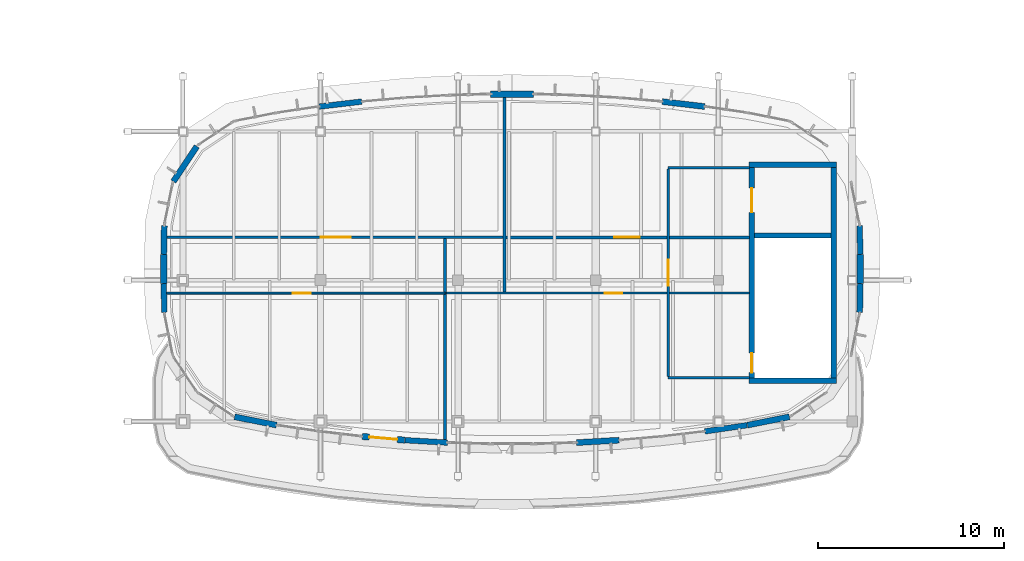
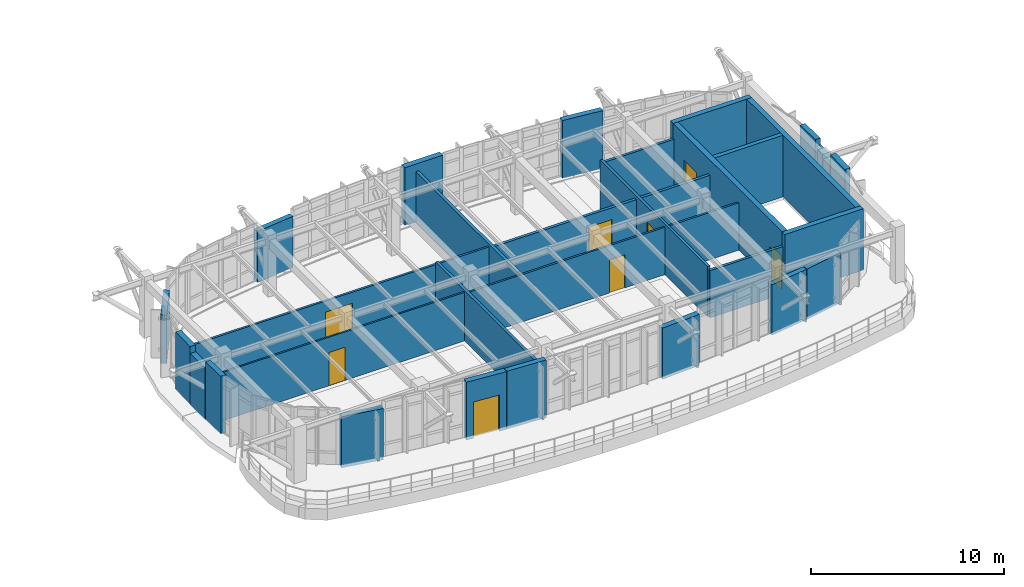
# One storey, part 84 of 105: 30 walls, 8 doors, 8 openings.
"""IFC4 building model written with IfcOpenShell, lengths in metres."""

from ifc_helpers import new_model, si_unit, direction, frame, frame_2d, origin, place, context, subcontext, project, spatial, rectangle, extrude, material, layer, layer_set, type_object, element, fill, save


model = new_model("IFC4")

# Units and contexts
model_context = context("Model", 3, precision=1e-05, world=origin(), true_north=direction((0.0, 1.0)))
body_context = subcontext(model_context, "Body", "Model", "MODEL_VIEW")
ifc_project = project(units=[si_unit("LENGTHUNIT", "METRE"), si_unit("AREAUNIT", "SQUARE_METRE"), si_unit("VOLUMEUNIT", "CUBIC_METRE"), si_unit("PLANEANGLEUNIT", "RADIAN"), si_unit("MASSUNIT", "GRAM", prefix="KILO")], contexts=[model_context])

# Site, building, storey
site_placement = place(None, origin())
site = spatial("IfcSite", under=ifc_project, at=site_placement, CompositionType="ELEMENT")
building_placement = place(site_placement, origin())
building = spatial("IfcBuilding", under=site, at=building_placement, Name="Corveleigh Park Community Centre", CompositionType="ELEMENT")
storey_placement = place(building_placement, frame((0.0, 0.0, 8.699951171875)))
storey = spatial("IfcBuildingStorey", under=building, at=storey_placement, Name="L02", CompositionType="ELEMENT", Elevation=8.699951171875)

# Walls
ifc_material_1 = material(Name="Precast concrete C40/50", Category="concrete")
ifc_layer_1 = layer(ifc_material_1, 0.300048828125, Name="Precast concrete C40/50", Category="concrete")
ifc_layer_set_1 = layer_set([ifc_layer_1], Name="Precast concrete C40/50")
wall_type_1 = type_object("IfcWallType", Name="WL-EXT-300", PredefinedType="STANDARD", material=ifc_layer_set_1)
wall_1_placement = place(storey_placement, frame((86.22705078125, 10.06103515625, 0.0), z_axis=(0.0, 0.0, 1.0), x_axis=(-0.998338056465, 0.05762920279, 0.0)))
element("IfcWall", 1, at=wall_1_placement, inside=storey, type_object=wall_type_1, Name="V3 L02 Precast Facade Wall", PredefinedType="STANDARD", context=body_context, shape_type="SweptSolid", body=[
    extrude(rectangle(XDim=2.2919921875, YDim=0.300048828125, at=frame_2d((1.14599609375, 0.0))), origin(), (0.0, 0.0, 1.0), 3.6640625),
])
wall_2_placement = place(storey_placement, frame((102.341064453125, 10.998046875, 0.0), z_axis=(0.0, 0.0, 1.0), x_axis=(-0.989435718954, -0.144972266513, 0.0)))
element("IfcWall", 2, at=wall_2_placement, inside=storey, type_object=wall_type_1, Name="V3 L02 Precast Facade Wall", PredefinedType="STANDARD", context=body_context, shape_type="SweptSolid", body=[
    extrude(rectangle(XDim=2.290283203125, YDim=0.300048828125, at=frame_2d((1.14501953125, 0.0))), origin(), (0.0, 0.0, 1.0), 3.18701171875),
])
wall_3_placement = place(storey_placement, frame((108.39990234375, 21.72802734375, 0.0), z_axis=(0.0, 0.0, 1.0), x_axis=(0.02018025071, -0.999796358006, 0.0)))
element("IfcWall", 3, at=wall_3_placement, inside=storey, type_object=wall_type_1, Name="V3 L02 Precast Facade Wall", PredefinedType="STANDARD", context=body_context, shape_type="SweptSolid", body=[
    extrude(rectangle(XDim=1.536376953125, YDim=0.300048828125, at=frame_2d((0.76806640625, 0.0))), origin(), (0.0, 0.0, 1.0), 3.6640625),
])
wall_4_placement = place(storey_placement, frame((79.343017578125, 28.135986328125, 0.0), z_axis=(0.0, 0.0, 1.0), x_axis=(0.993184017059, 0.116556888507, 0.0)))
element("IfcWall", 4, at=wall_4_placement, inside=storey, type_object=wall_type_1, Name="V3 L02 Precast Facade Wall", PredefinedType="STANDARD", context=body_context, shape_type="SweptSolid", body=[
    extrude(rectangle(XDim=2.29150390625, YDim=0.300048828125, at=frame_2d((1.145751953125, 0.0))), origin(), (0.0, 0.0, 1.0), 3.2431640625),
])
wall_5_placement = place(storey_placement, frame((71.0, 17.072021484375, 0.0), z_axis=(0.0, 0.0, 1.0), x_axis=(-0.0201834572, 0.99979629328, 0.0)))
element("IfcWall", 5, at=wall_5_placement, inside=storey, type_object=wall_type_1, Name="V3 L02 Precast Facade Wall", PredefinedType="STANDARD", context=body_context, shape_type="SweptSolid", body=[
    extrude(rectangle(XDim=1.5361328125, YDim=0.300048828125, at=frame_2d((0.76806640625, 0.0))), origin(), (0.0, 0.0, 1.0), 3.6640625),
])
ifc_layer_2 = layer(ifc_material_1, 0.320068359375, Name="Precast concrete C40/50", Category="concrete")
ifc_layer_set_2 = layer_set([ifc_layer_2], Name="Precast concrete C40/50")
wall_type_2 = type_object("IfcWallType", Name="WL-EXT-320", PredefinedType="STANDARD", material=ifc_layer_set_2)
wall_6_placement = place(storey_placement, frame((95.4609375, 10.193115234375, 0.0), z_axis=(0.0, 0.0, 1.0), x_axis=(-0.998337702631, -0.057635332101, 0.0)))
element("IfcWall", 6, at=wall_6_placement, inside=storey, type_object=wall_type_2, Name="V3 L02 Precast Facade Wall", PredefinedType="STANDARD", context=body_context, shape_type="SweptSolid", body=[
    extrude(rectangle(XDim=2.291748046875, YDim=0.320068359375, at=frame_2d((1.14599609375, 0.0))), origin(), (0.0, 0.0, 1.0), 3.2431640625),
])
wall_7_placement = place(storey_placement, frame((104.6220703125, 11.450927734375, 0.0), z_axis=(0.0, 0.0, 1.0), x_axis=(-0.980816424084, -0.194933686792, 0.0)))
element("IfcWall", 7, at=wall_7_placement, inside=storey, type_object=wall_type_2, Name="V3 L02 Precast Facade Wall", PredefinedType="STANDARD", context=body_context, shape_type="SweptSolid", body=[
    extrude(rectangle(XDim=2.30322265625, YDim=0.320068359375, at=frame_2d((1.151611328125, 0.0))), origin(), (0.0, 0.0, 1.0), 3.18701171875),
])
wall_8_placement = place(storey_placement, frame((108.430908203125, 18.60791015625, 0.0), z_axis=(0.0, 0.0, 1.0), x_axis=(-0.0201834572, -0.99979629328, 0.0)))
element("IfcWall", 8, at=wall_8_placement, inside=storey, type_object=wall_type_2, Name="V3 L02 Precast Facade Wall", PredefinedType="STANDARD", context=body_context, shape_type="SweptSolid", body=[
    extrude(rectangle(XDim=1.5361328125, YDim=0.320068359375, at=frame_2d((0.76806640625, 0.0))), origin(), (0.0, 0.0, 1.0), 3.6640625),
])
wall_9_placement = place(storey_placement, frame((97.781005859375, 28.403076171875, 0.0), z_axis=(0.0, 0.0, 1.0), x_axis=(0.993184017059, -0.116556888507, 0.0)))
element("IfcWall", 9, at=wall_9_placement, inside=storey, type_object=wall_type_2, Name="V3 L02 Precast Facade Wall", PredefinedType="STANDARD", context=body_context, shape_type="SweptSolid", body=[
    extrude(rectangle(XDim=2.29150390625, YDim=0.320068359375, at=frame_2d((1.145751953125, 0.0))), origin(), (0.0, 0.0, 1.0), 3.6640625),
])
wall_10_placement = place(storey_placement, frame((71.485107421875, 24.10302734375, 0.0), z_axis=(0.0, 0.0, 1.0), x_axis=(0.555221033592, 0.831702833863, 0.0)))
element("IfcWall", 10, at=wall_10_placement, inside=storey, type_object=wall_type_2, Name="V3 L02 Precast Facade Wall", PredefinedType="STANDARD", context=body_context, shape_type="SweptSolid", body=[
    extrude(rectangle(XDim=2.271240234375, YDim=0.320068359375, at=frame_2d((1.1357421875, 0.0))), origin(), (0.0, 0.0, 1.0), 3.074951171875),
])
wall_11_placement = place(storey_placement, frame((70.968994140625, 20.19189453125, 0.0), z_axis=(0.0, 0.0, 1.0), x_axis=(0.02018025071, 0.999796358006, 0.0)))
element("IfcWall", 11, at=wall_11_placement, inside=storey, type_object=wall_type_2, Name="V3 L02 Precast Facade Wall", PredefinedType="STANDARD", context=body_context, shape_type="SweptSolid", body=[
    extrude(rectangle(XDim=1.536376953125, YDim=0.320068359375, at=frame_2d((0.76806640625, 0.0))), origin(), (0.0, 0.0, 1.0), 3.6640625),
])
wall_12_placement = place(storey_placement, frame((77.037109375, 11.001953125, 0.0), z_axis=(0.0, 0.0, 1.0), x_axis=(-0.980816424084, 0.194933686792, 0.0)))
element("IfcWall", 12, at=wall_12_placement, inside=storey, type_object=wall_type_2, Name="V3 L02 Precast Facade Wall", PredefinedType="STANDARD", context=body_context, shape_type="SweptSolid", body=[
    extrude(rectangle(XDim=2.30322265625, YDim=0.320068359375, at=frame_2d((1.151611328125, 0.0))), origin(), (0.0, 0.0, 1.0), 3.241943359375),
])

# Wall, opening, door
ifc_layer_3 = layer(ifc_material_1, 0.340087890625, Name="Precast concrete C40/50", Category="concrete")
ifc_layer_set_3 = layer_set([ifc_layer_3], Name="Precast concrete C40/50")
wall_type_3 = type_object("IfcWallType", Name="WL-EXT-340", PredefinedType="STANDARD", material=ifc_layer_set_3)
wall_13_placement = place(storey_placement, frame((83.9208984375, 10.195068359375, 0.0), z_axis=(0.0, 0.0, 1.0), x_axis=(-0.996189670926, 0.087213184446, 0.0)))
wall_13 = element("IfcWall", 13, at=wall_13_placement, inside=storey, type_object=wall_type_3, Name="V3 terrace wall", PredefinedType="STANDARD", context=body_context, shape_type="SweptSolid", body=[
    extrude(rectangle(XDim=2.292724609375, YDim=0.340087890625, at=frame_2d((1.146484375, 0.0))), origin(), (0.0, 0.0, 1.0), 3.6640625),
])
opening_1_placement = place(wall_13_placement, frame((0.39697265625, 0.0, 0.0)))
opening_1 = element("IfcOpeningElement", 14, at=opening_1_placement, cuts=wall_13, Name="Opening ED04", PredefinedType="OPENING", context=body_context, shape_type="SweptSolid", body=[
    extrude(rectangle(XDim=1.5, YDim=2.300048828125, at=frame_2d((0.75, 1.14990234375))), frame((0.0, 0.179931640625, 0.0), z_axis=(0.0, -1.0, 0.0), x_axis=(1.0, 0.0, 0.0)), (0.0, 0.0, 1.0), 0.360107421875),
])
ifc_material_2 = material(Name="Powder-coated aluminium glazed door", Category="aluminium")
door_type_1 = type_object("IfcDoorType", Name="DR-EXT-1500x2300", OperationType="DOUBLE_DOOR_SINGLE_SWING", PredefinedType="DOOR", material=ifc_material_2)
door_1_placement = place(opening_1_placement, origin())
door_1 = element("IfcDoor", 15, at=door_1_placement, inside=storey, type_object=door_type_1, Name="Park Outlook Seminar Terrace access door", OperationType="DOUBLE_DOOR_SINGLE_SWING", OverallHeight=2.300048828125, OverallWidth=1.5, PredefinedType="DOOR", context=body_context, shape_type="SweptSolid", body=[
    extrude(rectangle(XDim=1.5, YDim=2.300048828125, at=frame_2d((0.75, 1.14990234375))), frame((0.0, 0.02490234375, 0.0), z_axis=(0.0, -1.0, 0.0), x_axis=(1.0, 0.0, 0.0)), (0.0, 0.0, 1.0), 0.050048828125),
])
fill(opening_1, door_1)

# Walls
wall_14_placement = place(storey_placement, frame((108.430908203125, 20.176025390625, 0.0), z_axis=(0.0, 0.0, 1.0), x_axis=(0.0, -1.0, 0.0)))
element("IfcWall", 16, at=wall_14_placement, inside=storey, type_object=wall_type_3, Name="V3 L02 Precast Facade Wall", PredefinedType="STANDARD", context=body_context, shape_type="SweptSolid", body=[
    extrude(rectangle(XDim=1.552001953125, YDim=0.340087890625, at=frame_2d((0.77587890625, 0.0))), origin(), (0.0, 0.0, 1.0), 3.2431640625),
])
wall_15_placement = place(storey_placement, frame((88.553955078125, 28.806884765625, 0.0), z_axis=(0.0, 0.0, 1.0), x_axis=(1.0, 0.0, 0.0)))
element("IfcWall", 17, at=wall_15_placement, inside=storey, type_object=wall_type_3, Name="V3 L02 Precast Facade Wall", PredefinedType="STANDARD", context=body_context, shape_type="SweptSolid", body=[
    extrude(rectangle(XDim=2.2919921875, YDim=0.340087890625, at=frame_2d((1.14599609375, 0.0))), origin(), (0.0, 0.0, 1.0), 3.6640625),
])
wall_16_placement = place(storey_placement, frame((70.968994140625, 18.6240234375, 0.0), z_axis=(0.0, 0.0, 1.0), x_axis=(0.0, 1.0, 0.0)))
element("IfcWall", 18, at=wall_16_placement, inside=storey, type_object=wall_type_3, Name="V3 L02 Precast Facade Wall", PredefinedType="STANDARD", context=body_context, shape_type="SweptSolid", body=[
    extrude(rectangle(XDim=1.552001953125, YDim=0.340087890625, at=frame_2d((0.77587890625, 0.0))), origin(), (0.0, 0.0, 1.0), 3.2431640625),
])

# Wall, opening, door
ifc_material_3 = material(Name="Gypsum acoustic stud partition", Category="gypsum")
ifc_layer_4 = layer(ifc_material_3, 0.10009765625, Name="Gypsum acoustic stud partition", Category="gypsum")
ifc_layer_set_4 = layer_set([ifc_layer_4], Name="Gypsum acoustic stud partition")
wall_type_4 = type_object("IfcWallType", Name="WL-PRT-100", PredefinedType="PARTITIONING", material=ifc_layer_set_4)
wall_17_placement = place(storey_placement, frame((71.116943359375, 18.10009765625, 0.0), z_axis=(0.0, 0.0, 1.0), x_axis=(1.0, 0.0, 0.0)))
wall_17 = element("IfcWall", 19, at=wall_17_placement, inside=storey, type_object=wall_type_4, Name="Civic Heritage Classroom corridor wall", PredefinedType="PARTITIONING", context=body_context, shape_type="SweptSolid", body=[
    extrude(rectangle(XDim=14.983154296875, YDim=0.10009765625, at=frame_2d((7.49169921875, 0.0))), origin(), (0.0, 0.0, 1.0), 3.074951171875),
])
opening_2_placement = place(wall_17_placement, frame((6.7958984375, 0.0, 0.0)))
opening_2 = element("IfcOpeningElement", 20, at=opening_2_placement, cuts=wall_17, Name="Opening ID02", PredefinedType="OPENING", context=body_context, shape_type="SweptSolid", body=[
    extrude(rectangle(XDim=0.949951171875, YDim=2.110107421875, at=frame_2d((0.47509765625, 1.05517578125))), frame((0.0, 0.06005859375, 0.0), z_axis=(0.0, -1.0, 0.0), x_axis=(1.0, 0.0, 0.0)), (0.0, 0.0, 1.0), 0.1201171875),
])
ifc_material_4 = material(Name="Hardwood acoustic door leaf", Category="wood")
door_type_2 = type_object("IfcDoorType", Name="DR-INT-0950x2110", OperationType="NOTDEFINED", PredefinedType="DOOR", material=ifc_material_4)
door_2_placement = place(opening_2_placement, origin())
door_2 = element("IfcDoor", 21, at=door_2_placement, inside=storey, type_object=door_type_2, Name="Civic Heritage Classroom door", OperationType="SINGLE_SWING_LEFT", OverallHeight=2.110107421875, OverallWidth=0.949951171875, PredefinedType="DOOR", context=body_context, shape_type="SweptSolid", body=[
    extrude(rectangle(XDim=0.949951171875, YDim=2.110107421875, at=frame_2d((0.47509765625, 1.05517578125))), frame((0.0, 0.02490234375, 0.0), z_axis=(0.0, -1.0, 0.0), x_axis=(1.0, 0.0, 0.0)), (0.0, 0.0, 1.0), 0.050048828125),
])
fill(opening_2, door_2)

ifc_layer_5 = layer(ifc_material_3, 0.114990234375, Name="Gypsum acoustic stud partition", Category="gypsum")
ifc_layer_set_5 = layer_set([ifc_layer_5], Name="Gypsum acoustic stud partition")
wall_type_5 = type_object("IfcWallType", Name="WL-PRT-115", PredefinedType="PARTITIONING", material=ifc_layer_set_5)
wall_18_placement = place(storey_placement, frame((86.10009765625, 18.10009765625, 0.0), z_axis=(0.0, 0.0, 1.0), x_axis=(1.0, 0.0, 0.0)))
wall_18 = element("IfcWall", 22, at=wall_18_placement, inside=storey, type_object=wall_type_5, Name="Oral History Recording Studio corridor wall", PredefinedType="PARTITIONING", context=body_context, shape_type="SweptSolid", body=[
    extrude(rectangle(XDim=16.36181640625, YDim=0.114990234375, at=frame_2d((8.180908203125, 0.0))), origin(), (0.0, 0.0, 1.0), 3.0),
])
opening_3_placement = place(wall_18_placement, frame((8.591064453125, 0.0, 0.0)))
opening_3 = element("IfcOpeningElement", 23, at=opening_3_placement, cuts=wall_18, Name="Opening FD09", PredefinedType="OPENING", context=body_context, shape_type="SweptSolid", body=[
    extrude(rectangle(XDim=0.93994140625, YDim=2.10009765625, at=frame_2d((0.469970703125, 1.050048828125))), frame((0.0, 0.0673828125, 0.0), z_axis=(0.0, -1.0, 0.0), x_axis=(1.0, 0.0, 0.0)), (0.0, 0.0, 1.0), 0.135009765625),
])
door_type_3 = type_object("IfcDoorType", Name="DR-FIR-0940x2100", OperationType="NOTDEFINED", PredefinedType="DOOR", material=ifc_material_4)
door_3_placement = place(opening_3_placement, origin())
door_3 = element("IfcDoor", 24, at=door_3_placement, inside=storey, type_object=door_type_3, Name="Oral History Recording Studio door", OperationType="SINGLE_SWING_RIGHT", OverallHeight=2.10009765625, OverallWidth=0.93994140625, PredefinedType="DOOR", context=body_context, shape_type="SweptSolid", body=[
    extrude(rectangle(XDim=0.93994140625, YDim=2.10009765625, at=frame_2d((0.469970703125, 1.050048828125))), frame((0.0, 0.02490234375, 0.0), z_axis=(0.0, -1.0, 0.0), x_axis=(1.0, 0.0, 0.0)), (0.0, 0.0, 1.0), 0.050048828125),
])
fill(opening_3, door_3)

ifc_layer_6 = layer(ifc_material_3, 0.125, Name="Gypsum acoustic stud partition", Category="gypsum")
ifc_layer_set_6 = layer_set([ifc_layer_6], Name="Gypsum acoustic stud partition")
wall_type_6 = type_object("IfcWallType", Name="WL-PRT-125", PredefinedType="PARTITIONING", material=ifc_layer_set_6)
wall_19_placement = place(storey_placement, frame((89.300048828125, 21.10009765625, 0.0), z_axis=(0.0, 0.0, 1.0), x_axis=(-1.0, 0.0, 0.0)))
wall_19 = element("IfcWall", 25, at=wall_19_placement, inside=storey, type_object=wall_type_6, Name="Community Boardroom and Lounge corridor wall", PredefinedType="PARTITIONING", context=body_context, shape_type="SweptSolid", body=[
    extrude(rectangle(XDim=18.1650390625, YDim=0.125, at=frame_2d((9.08251953125, 0.0))), origin(), (0.0, 0.0, 1.0), 3.025146484375),
])
opening_4_placement = place(wall_19_placement, frame((8.27197265625, 0.0, 0.0)))
opening_4 = element("IfcOpeningElement", 26, at=opening_4_placement, cuts=wall_19, Name="Opening FD07", PredefinedType="OPENING", context=body_context, shape_type="SweptSolid", body=[
    extrude(rectangle(XDim=1.6201171875, YDim=2.320068359375, at=frame_2d((0.81005859375, 1.16015625))), frame((0.0, 0.072509765625, 0.0), z_axis=(0.0, -1.0, 0.0), x_axis=(1.0, 0.0, 0.0)), (0.0, 0.0, 1.0), 0.14501953125),
])
door_type_4 = type_object("IfcDoorType", Name="DR-FIR-1620x2320", OperationType="DOUBLE_DOOR_SINGLE_SWING", PredefinedType="DOOR", material=ifc_material_4)
door_4_placement = place(opening_4_placement, origin())
door_4 = element("IfcDoor", 27, at=door_4_placement, inside=storey, type_object=door_type_4, Name="Community Boardroom and Lounge door", OperationType="DOUBLE_DOOR_SINGLE_SWING", OverallHeight=2.320068359375, OverallWidth=1.6201171875, PredefinedType="DOOR", context=body_context, shape_type="SweptSolid", body=[
    extrude(rectangle(XDim=1.6201171875, YDim=2.320068359375, at=frame_2d((0.81005859375, 1.16015625))), frame((0.0, 0.02490234375, 0.0), z_axis=(0.0, -1.0, 0.0), x_axis=(1.0, 0.0, 0.0)), (0.0, 0.0, 1.0), 0.050048828125),
])
fill(opening_4, door_4)

# Walls
ifc_layer_7 = layer(ifc_material_3, 0.14990234375, Name="Gypsum acoustic stud partition", Category="gypsum")
ifc_layer_set_7 = layer_set([ifc_layer_7], Name="Gypsum acoustic stud partition")
wall_type_7 = type_object("IfcWallType", Name="WL-PRT-150", PredefinedType="PARTITIONING", material=ifc_layer_set_7)
wall_20_placement = place(storey_placement, frame((98.10009765625, 13.550048828125, 0.0), z_axis=(0.0, 0.0, 1.0), x_axis=(1.0, 0.0, 0.0)))
element("IfcWall", 28, at=wall_20_placement, inside=storey, type_object=wall_type_7, Name="CORE4 lobby south wall", PredefinedType="PARTITIONING", context=body_context, shape_type="SweptSolid", body=[
    extrude(rectangle(XDim=4.364990234375, YDim=0.14990234375, at=frame_2d((2.1826171875, 0.0))), origin(), (0.0, 0.0, 1.0), 3.0),
])
wall_21_placement = place(storey_placement, frame((102.465087890625, 24.85009765625, 0.0), z_axis=(0.0, 0.0, 1.0), x_axis=(-1.0, 0.0, 0.0)))
element("IfcWall", 29, at=wall_21_placement, inside=storey, type_object=wall_type_7, Name="CORE4 lobby north wall", PredefinedType="PARTITIONING", context=body_context, shape_type="SweptSolid", body=[
    extrude(rectangle(XDim=4.364990234375, YDim=0.14990234375, at=frame_2d((2.1826171875, 0.0))), origin(), (0.0, 0.0, 1.0), 2.949951171875),
])

# Wall, opening, door
wall_22_placement = place(storey_placement, frame((98.10009765625, 24.77001953125, 0.0), z_axis=(0.0, 0.0, 1.0), x_axis=(0.0, -1.0, 0.0)))
wall_22 = element("IfcWall", 30, at=wall_22_placement, inside=storey, type_object=wall_type_7, Name="CORE4 lobby corridor wall", PredefinedType="PARTITIONING", context=body_context, shape_type="SweptSolid", body=[
    extrude(rectangle(XDim=11.14013671875, YDim=0.14990234375, at=frame_2d((5.570068359375, 0.0))), origin(), (0.0, 0.0, 1.0), 3.18701171875),
])
opening_5_placement = place(wall_22_placement, frame((4.8798828125, 0.0, 0.0)))
opening_5 = element("IfcOpeningElement", 31, at=opening_5_placement, cuts=wall_22, Name="Opening FD02", PredefinedType="OPENING", context=body_context, shape_type="SweptSolid", body=[
    extrude(rectangle(XDim=1.3798828125, YDim=2.199951171875, at=frame_2d((0.68994140625, 1.10009765625))), frame((0.0, 0.0849609375, 0.0), z_axis=(0.0, -1.0, 0.0), x_axis=(1.0, 0.0, 0.0)), (0.0, 0.0, 1.0), 0.169921875),
])
door_type_5 = type_object("IfcDoorType", Name="DR-FIR-1380x2200", OperationType="DOUBLE_DOOR_SINGLE_SWING", PredefinedType="DOOR", material=ifc_material_4)
door_5_placement = place(opening_5_placement, origin())
door_5 = element("IfcDoor", 32, at=door_5_placement, inside=storey, type_object=door_type_5, Name="Lobby CORE4 corridor door L02", OperationType="DOUBLE_DOOR_SINGLE_SWING", OverallHeight=2.199951171875, OverallWidth=1.3798828125, PredefinedType="DOOR", context=body_context, shape_type="SweptSolid", body=[
    extrude(rectangle(XDim=1.3798828125, YDim=2.199951171875, at=frame_2d((0.68994140625, 1.10009765625))), frame((0.0, 0.02490234375, 0.0), z_axis=(0.0, -1.0, 0.0), x_axis=(1.0, 0.0, 0.0)), (0.0, 0.0, 1.0), 0.050048828125),
])
fill(opening_5, door_5)

ifc_layer_8 = layer(ifc_material_3, 0.1650390625, Name="Gypsum acoustic stud partition", Category="gypsum")
ifc_layer_set_8 = layer_set([ifc_layer_8], Name="Gypsum acoustic stud partition")
wall_type_8 = type_object("IfcWallType", Name="WL-PRT-165", PredefinedType="PARTITIONING", material=ifc_layer_set_8)
wall_23_placement = place(storey_placement, frame((102.4619140625, 21.10009765625, 0.0), z_axis=(0.0, 0.0, 1.0), x_axis=(-1.0, 0.0, 0.0)))
wall_23 = element("IfcWall", 33, at=wall_23_placement, inside=storey, type_object=wall_type_8, Name="Accessible Toilets V3 L02 corridor wall", PredefinedType="PARTITIONING", context=body_context, shape_type="SweptSolid", body=[
    extrude(rectangle(XDim=13.161865234375, YDim=0.1650390625, at=frame_2d((6.5810546875, 0.0))), origin(), (0.0, 0.0, 1.0), 2.949951171875),
])
opening_6_placement = place(wall_23_placement, frame((5.89111328125, 0.0, 0.0)))
opening_6 = element("IfcOpeningElement", 34, at=opening_6_placement, cuts=wall_23, Name="Opening FD02", PredefinedType="OPENING", context=body_context, shape_type="SweptSolid", body=[
    extrude(rectangle(XDim=1.3798828125, YDim=2.199951171875, at=frame_2d((0.68994140625, 1.10009765625))), frame((0.0, 0.092529296875, 0.0), z_axis=(0.0, -1.0, 0.0), x_axis=(1.0, 0.0, 0.0)), (0.0, 0.0, 1.0), 0.18505859375),
])
door_6_placement = place(opening_6_placement, origin())
door_6 = element("IfcDoor", 35, at=door_6_placement, inside=storey, type_object=door_type_5, Name="Accessible Toilets V3 L02 door", OperationType="DOUBLE_DOOR_SINGLE_SWING", OverallHeight=2.199951171875, OverallWidth=1.3798828125, PredefinedType="DOOR", context=body_context, shape_type="SweptSolid", body=[
    extrude(rectangle(XDim=1.3798828125, YDim=2.199951171875, at=frame_2d((0.68994140625, 1.10009765625))), frame((0.0, 0.02490234375, 0.0), z_axis=(0.0, -1.0, 0.0), x_axis=(1.0, 0.0, 0.0)), (0.0, 0.0, 1.0), 0.050048828125),
])
fill(opening_6, door_6)

# Walls
wall_24_placement = place(storey_placement, frame((86.10009765625, 10.20703125, 0.0), z_axis=(0.0, 0.0, 1.0), x_axis=(0.0, 1.0, 0.0)))
element("IfcWall", 36, at=wall_24_placement, inside=storey, type_object=wall_type_8, Name="Civic Heritage Classroom partition", PredefinedType="PARTITIONING", context=body_context, shape_type="SweptSolid", body=[
    extrude(rectangle(XDim=10.843017578125, YDim=0.1650390625, at=frame_2d((5.42138671875, 0.0))), origin(), (0.0, 0.0, 1.0), 3.194091796875),
])
ifc_layer_9 = layer(ifc_material_3, 0.179931640625, Name="Gypsum acoustic stud partition", Category="gypsum")
ifc_layer_set_9 = layer_set([ifc_layer_9], Name="Gypsum acoustic stud partition")
wall_type_9 = type_object("IfcWallType", Name="WL-PRT-180", PredefinedType="PARTITIONING", material=ifc_layer_set_9)
wall_25_placement = place(storey_placement, frame((89.300048828125, 18.14599609375, 0.0), z_axis=(0.0, 0.0, 1.0), x_axis=(0.0, 1.0, 0.0)))
element("IfcWall", 37, at=wall_25_placement, inside=storey, type_object=wall_type_9, Name="Community Boardroom and Lounge partition", PredefinedType="PARTITIONING", context=body_context, shape_type="SweptSolid", body=[
    extrude(rectangle(XDim=10.5029296875, YDim=0.179931640625, at=frame_2d((5.25146484375, 0.0))), origin(), (0.0, 0.0, 1.0), 3.18701171875),
])
ifc_material_5 = material(Name="Concrete C40/50", Category="concrete")
ifc_layer_10 = layer(ifc_material_5, 0.25, Name="Concrete C40/50", Category="concrete")
ifc_layer_set_10 = layer_set([ifc_layer_10], Name="Concrete C40/50")
wall_type_10 = type_object("IfcWallType", Name="WL-SHR-250", PredefinedType="SHEAR", material=ifc_layer_set_10)
wall_26_placement = place(storey_placement, frame((102.75, 21.199951171875, 0.0), z_axis=(0.0, 0.0, 1.0), x_axis=(1.0, 0.0, 0.0)))
element("IfcWall", 38, at=wall_26_placement, inside=storey, type_object=wall_type_10, Name="CORE4 shaft wall", PredefinedType="SHEAR", context=body_context, shape_type="SweptSolid", body=[
    extrude(rectangle(XDim=4.10009765625, YDim=0.25, at=frame_2d((2.050048828125, 0.0))), origin(), (0.0, 0.0, 1.0), 3.900146484375),
])
ifc_layer_11 = layer(ifc_material_5, 0.300048828125, Name="Concrete C40/50", Category="concrete")
ifc_layer_set_11 = layer_set([ifc_layer_11], Name="Concrete C40/50")
wall_type_11 = type_object("IfcWallType", Name="WL-SHR-300", PredefinedType="SHEAR", material=ifc_layer_set_11)
wall_27_placement = place(storey_placement, frame((102.449951171875, 13.39990234375, 0.0), z_axis=(0.0, 0.0, 1.0), x_axis=(1.0, 0.0, 0.0)))
element("IfcWall", 39, at=wall_27_placement, inside=storey, type_object=wall_type_11, Name="CORE4 south shear wall", PredefinedType="SHEAR", context=body_context, shape_type="SweptSolid", body=[
    extrude(rectangle(XDim=4.699951171875, YDim=0.300048828125, at=frame_2d((2.35009765625, 0.0))), origin(), (0.0, 0.0, 1.0), 3.900146484375),
])
wall_28_placement = place(storey_placement, frame((107.0, 13.550048828125, 0.0), z_axis=(0.0, 0.0, 1.0), x_axis=(0.0, 1.0, 0.0)))
element("IfcWall", 40, at=wall_28_placement, inside=storey, type_object=wall_type_11, Name="CORE4 east shear wall", PredefinedType="SHEAR", context=body_context, shape_type="SweptSolid", body=[
    extrude(rectangle(XDim=11.300048828125, YDim=0.300048828125, at=frame_2d((5.64990234375, 0.0))), origin(), (0.0, 0.0, 1.0), 3.900146484375),
])
wall_29_placement = place(storey_placement, frame((107.14990234375, 25.0, 0.0), z_axis=(0.0, 0.0, 1.0), x_axis=(-1.0, 0.0, 0.0)))
element("IfcWall", 41, at=wall_29_placement, inside=storey, type_object=wall_type_11, Name="CORE4 north shear wall", PredefinedType="SHEAR", context=body_context, shape_type="SweptSolid", body=[
    extrude(rectangle(XDim=4.699951171875, YDim=0.300048828125, at=frame_2d((2.35009765625, 0.0))), origin(), (0.0, 0.0, 1.0), 3.900146484375),
])

# Wall, openings, doors
wall_30_placement = place(storey_placement, frame((102.60009765625, 24.85009765625, 0.0), z_axis=(0.0, 0.0, 1.0), x_axis=(0.0, -1.0, 0.0)))
wall_30 = element("IfcWall", 42, at=wall_30_placement, inside=storey, type_object=wall_type_11, Name="CORE4 west lobby wall", PredefinedType="SHEAR", context=body_context, shape_type="SweptSolid", body=[
    extrude(rectangle(XDim=11.300048828125, YDim=0.300048828125, at=frame_2d((5.64990234375, 0.0))), origin(), (0.0, 0.0, 1.0), 3.900146484375),
])
opening_7_placement = place(wall_30_placement, frame((1.10009765625, 0.0, 0.0)))
opening_7 = element("IfcOpeningElement", 43, at=opening_7_placement, cuts=wall_30, Name="Opening LD03", PredefinedType="OPENING", context=body_context, shape_type="SweptSolid", body=[
    extrude(rectangle(XDim=1.300048828125, YDim=2.25, at=frame_2d((0.64990234375, 1.125))), frame((0.0, 0.159912109375, 0.0), z_axis=(0.0, -1.0, 0.0), x_axis=(1.0, 0.0, 0.0)), (0.0, 0.0, 1.0), 0.320068359375),
])
opening_8_placement = place(wall_30_placement, frame((9.969970703125, 0.0, 0.0)))
opening_8 = element("IfcOpeningElement", 44, at=opening_8_placement, cuts=wall_30, Name="Opening FD04", PredefinedType="OPENING", context=body_context, shape_type="SweptSolid", body=[
    extrude(rectangle(XDim=1.06005859375, YDim=2.14990234375, at=frame_2d((0.530029296875, 1.074951171875))), frame((0.0, 0.159912109375, 0.0), z_axis=(0.0, -1.0, 0.0), x_axis=(1.0, 0.0, 0.0)), (0.0, 0.0, 1.0), 0.320068359375),
])
door_type_6 = type_object("IfcDoorType", Name="DR-FIR-1060x2150", OperationType="NOTDEFINED", PredefinedType="DOOR", material=ifc_material_4)
door_7_placement = place(opening_8_placement, origin())
door_7 = element("IfcDoor", 45, at=door_7_placement, inside=storey, type_object=door_type_6, Name="Stair ST4 fire door L02", OperationType="SINGLE_SWING_RIGHT", OverallHeight=2.14990234375, OverallWidth=1.06005859375, PredefinedType="DOOR", context=body_context, shape_type="SweptSolid", body=[
    extrude(rectangle(XDim=1.06005859375, YDim=2.14990234375, at=frame_2d((0.530029296875, 1.074951171875))), frame((0.0, 0.02490234375, 0.0), z_axis=(0.0, -1.0, 0.0), x_axis=(1.0, 0.0, 0.0)), (0.0, 0.0, 1.0), 0.050048828125),
])
fill(opening_8, door_7)
ifc_material_6 = material(Name="Brushed stainless steel lift car", Category="steel")
door_type_7 = type_object("IfcDoorType", Name="DR-LFT-1300x2250", OperationType="DOUBLE_DOOR_SLIDING", PredefinedType="DOOR", material=ifc_material_6)
door_8_placement = place(opening_7_placement, origin())
door_8 = element("IfcDoor", 46, at=door_8_placement, inside=storey, type_object=door_type_7, Name="Lift GL1 landing door L02", OperationType="DOUBLE_DOOR_SLIDING", OverallHeight=2.25, OverallWidth=1.300048828125, PredefinedType="DOOR", context=body_context, shape_type="SweptSolid", body=[
    extrude(rectangle(XDim=1.300048828125, YDim=2.25, at=frame_2d((0.64990234375, 1.125))), frame((0.0, 0.02490234375, 0.0), z_axis=(0.0, -1.0, 0.0), x_axis=(1.0, 0.0, 0.0)), (0.0, 0.0, 1.0), 0.050048828125),
])
fill(opening_7, door_8)

save(model, "model.ifc")
